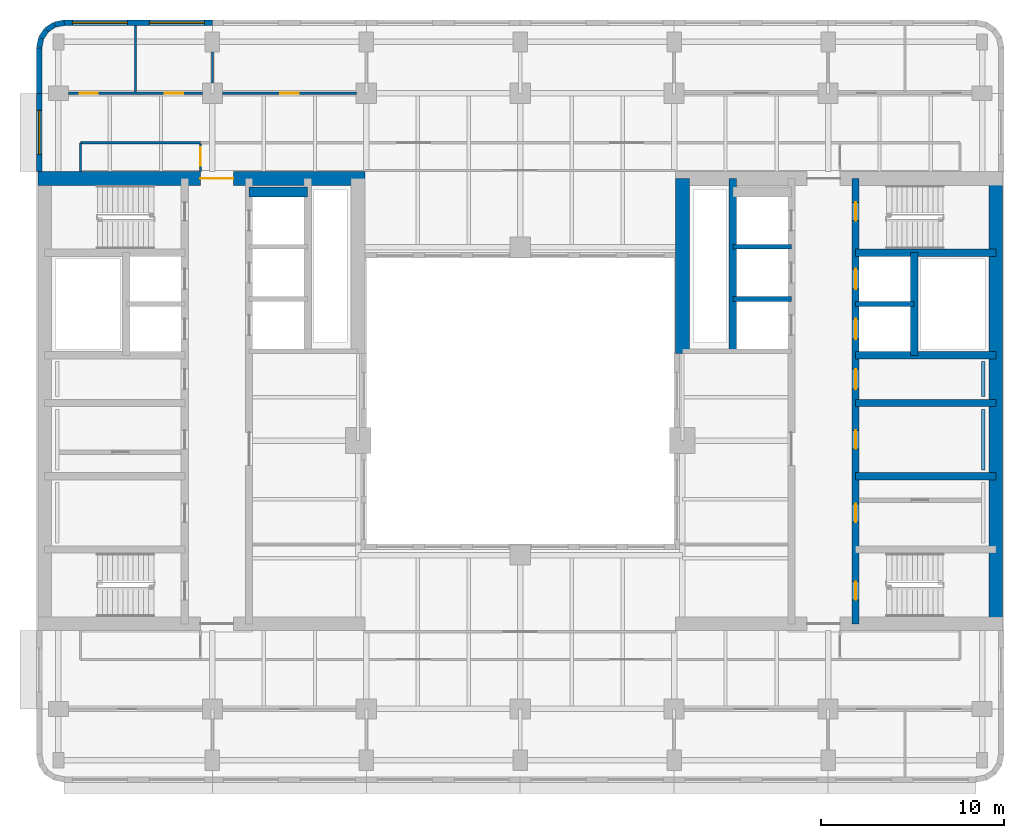
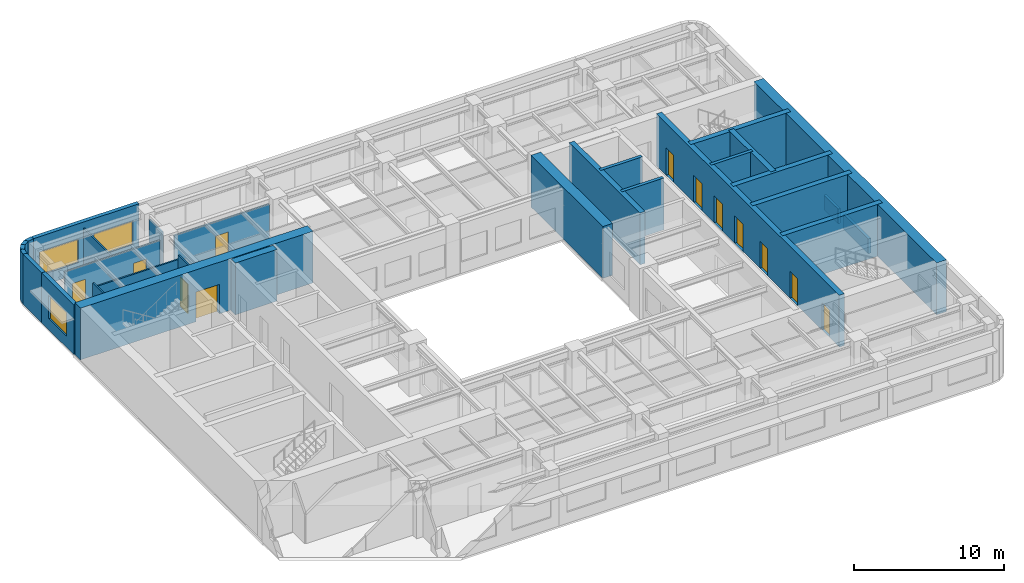
# One storey, part 6 of 11: 30 walls, 12 doors, 3 windows, 15 openings.
"""IFC4 building model written with IfcOpenShell, lengths in metres."""

from ifc_helpers import new_model, si_unit, direction, frame, frame_2d, origin, place, context, subcontext, project, spatial, rectangle, extrude, material, layer, layer_set, type_object, element, fill, save


model = new_model("IFC4")

# Units and contexts
model_context = context("Model", 3, precision=1e-05, world=origin(), true_north=direction((0.0, 1.0)))
body_context = subcontext(model_context, "Body", "Model", "MODEL_VIEW")
ifc_project = project(units=[si_unit("LENGTHUNIT", "METRE"), si_unit("AREAUNIT", "SQUARE_METRE"), si_unit("VOLUMEUNIT", "CUBIC_METRE"), si_unit("PLANEANGLEUNIT", "RADIAN"), si_unit("MASSUNIT", "GRAM", prefix="KILO")], contexts=[model_context])

# Site, building, storey
site_placement = place(None, origin())
site = spatial("IfcSite", under=ifc_project, at=site_placement, CompositionType="ELEMENT")
building_placement = place(site_placement, origin())
building = spatial("IfcBuilding", under=site, at=building_placement, Name="Claustro Exchange Tower", CompositionType="ELEMENT")
storey_placement = place(building_placement, frame((0.0, 0.0, 181.800048828125)))
storey = spatial("IfcBuildingStorey", under=building, at=storey_placement, Name="L41", CompositionType="ELEMENT", Elevation=181.800048828125)

# Wall, openings, doors
ifc_material_1 = material(Name="Laminated glass in aluminium frame", Category="aluminium")
ifc_layer_1 = layer(ifc_material_1, 0.1201171875)
ifc_layer_set_1 = layer_set([ifc_layer_1], Name="Laminated glass in aluminium frame")
wall_type_1 = type_object("IfcWallType", Name="P2 120 glazed partition", PredefinedType="PARTITIONING", material=ifc_layer_set_1)
wall_1_placement = place(storey_placement, frame((0.549072265625, 42.0, 0.0), z_axis=(0.0, 0.0, 1.0), x_axis=(1.0, 0.0, 0.0)))
wall_1 = element("IfcWall", 1, at=wall_1_placement, inside=storey, type_object=wall_type_1, Name="Partition P2 L41", PredefinedType="PARTITIONING", context=body_context, shape_type="SweptSolid", body=[
    extrude(rectangle(XDim=7.302001953125, YDim=0.1201171875, at=frame_2d((3.65087890625, 0.0))), origin(), (0.0, 0.0, 1.0), 3.550048828125),
])
opening_1_placement = place(wall_1_placement, frame((0.60107421875, 0.0, 0.0)))
opening_1 = element("IfcOpeningElement", 2, at=opening_1_placement, cuts=wall_1, Name="Opening D7", PredefinedType="OPENING", context=body_context, shape_type="SweptSolid", body=[
    extrude(rectangle(XDim=1.0, YDim=2.39990234375, at=frame_2d((0.5, 1.199951171875))), frame((0.0, 0.070068359375, 0.0), z_axis=(0.0, -1.0, 0.0), x_axis=(1.0, 0.0, 0.0)), (0.0, 0.0, 1.0), 0.14013671875),
])
opening_2_placement = place(wall_1_placement, frame((5.2509765625, 0.0, 0.0)))
opening_2 = element("IfcOpeningElement", 3, at=opening_2_placement, cuts=wall_1, Name="Opening D7", PredefinedType="OPENING", context=body_context, shape_type="SweptSolid", body=[
    extrude(rectangle(XDim=1.0, YDim=2.39990234375, at=frame_2d((0.5, 1.199951171875))), frame((0.0, 0.070068359375, 0.0), z_axis=(0.0, -1.0, 0.0), x_axis=(1.0, 0.0, 0.0)), (0.0, 0.0, 1.0), 0.14013671875),
])
ifc_material_2 = material(Name="Glass door in aluminium frame", Category="aluminium")
door_type_1 = type_object("IfcDoorType", Name="D7 1000 x 2400 glazed door", OperationType="SINGLE_SWING_LEFT", PredefinedType="DOOR", material=ifc_material_2)
door_1_placement = place(opening_1_placement, origin())
door_1 = element("IfcDoor", 4, at=door_1_placement, inside=storey, type_object=door_type_1, Name="Door D7 L41", OperationType="SINGLE_SWING_RIGHT", OverallHeight=2.39990234375, OverallWidth=1.0, PredefinedType="DOOR", context=body_context, shape_type="SweptSolid", body=[
    extrude(rectangle(XDim=1.0, YDim=2.39990234375, at=frame_2d((0.5, 1.199951171875))), frame((0.0, 0.02490234375, 0.0), z_axis=(0.0, -1.0, 0.0), x_axis=(1.0, 0.0, 0.0)), (0.0, 0.0, 1.0), 0.050048828125),
])
fill(opening_1, door_1)
door_2_placement = place(opening_2_placement, origin())
door_2 = element("IfcDoor", 5, at=door_2_placement, inside=storey, type_object=door_type_1, Name="Door D7 L41", OperationType="SINGLE_SWING_RIGHT", OverallHeight=2.39990234375, OverallWidth=1.0, PredefinedType="DOOR", context=body_context, shape_type="SweptSolid", body=[
    extrude(rectangle(XDim=1.0, YDim=2.39990234375, at=frame_2d((0.5, 1.199951171875))), frame((0.0, 0.02490234375, 0.0), z_axis=(0.0, -1.0, 0.0), x_axis=(1.0, 0.0, 0.0)), (0.0, 0.0, 1.0), 0.050048828125),
])
fill(opening_2, door_2)

# Wall, opening, door
wall_2_placement = place(storey_placement, frame((8.948974609375, 42.0, 0.0), z_axis=(0.0, 0.0, 1.0), x_axis=(1.0, 0.0, 0.0)))
wall_2 = element("IfcWall", 6, at=wall_2_placement, inside=storey, type_object=wall_type_1, Name="Partition P2 L41", PredefinedType="PARTITIONING", context=body_context, shape_type="SweptSolid", body=[
    extrude(rectangle(XDim=7.302001953125, YDim=0.1201171875, at=frame_2d((3.65087890625, 0.0))), origin(), (0.0, 0.0, 1.0), 3.550048828125),
])
opening_3_placement = place(wall_2_placement, frame((3.15087890625, 0.0, 0.0)))
opening_3 = element("IfcOpeningElement", 7, at=opening_3_placement, cuts=wall_2, Name="Opening D7", PredefinedType="OPENING", context=body_context, shape_type="SweptSolid", body=[
    extrude(rectangle(XDim=1.0, YDim=2.39990234375, at=frame_2d((0.5, 1.199951171875))), frame((0.0, 0.070068359375, 0.0), z_axis=(0.0, -1.0, 0.0), x_axis=(1.0, 0.0, 0.0)), (0.0, 0.0, 1.0), 0.14013671875),
])
door_3_placement = place(opening_3_placement, origin())
door_3 = element("IfcDoor", 8, at=door_3_placement, inside=storey, type_object=door_type_1, Name="Door D7 L41", OperationType="SINGLE_SWING_LEFT", OverallHeight=2.39990234375, OverallWidth=1.0, PredefinedType="DOOR", context=body_context, shape_type="SweptSolid", body=[
    extrude(rectangle(XDim=1.0, YDim=2.39990234375, at=frame_2d((0.5, 1.199951171875))), frame((0.0, 0.02490234375, 0.0), z_axis=(0.0, -1.0, 0.0), x_axis=(1.0, 0.0, 0.0)), (0.0, 0.0, 1.0), 0.050048828125),
])
fill(opening_3, door_3)

# Walls
wall_3_placement = place(storey_placement, frame((4.199951171875, 42.05810546875, 0.0), z_axis=(0.0, 0.0, 1.0), x_axis=(0.0, 1.0, 0.0)))
element("IfcWall", 9, at=wall_3_placement, inside=storey, type_object=wall_type_1, Name="Partition P2 L41", PredefinedType="PARTITIONING", context=body_context, shape_type="SweptSolid", body=[
    extrude(rectangle(XDim=3.643798828125, YDim=0.1201171875, at=frame_2d((1.82177734375, 0.0))), origin(), (0.0, 0.0, 1.0), 3.550048828125),
])
wall_4_placement = place(storey_placement, frame((8.39990234375, 42.549072265625, 0.0), z_axis=(0.0, 0.0, 1.0), x_axis=(0.0, 1.0, 0.0)))
element("IfcWall", 10, at=wall_4_placement, inside=storey, type_object=wall_type_1, Name="Partition P2 L41", PredefinedType="PARTITIONING", context=body_context, shape_type="SweptSolid", body=[
    extrude(rectangle(XDim=1.701904296875, YDim=0.1201171875, at=frame_2d((0.85107421875, 0.0))), origin(), (0.0, 0.0, 1.0), 3.68994140625),
])

# Wall, opening, door
wall_5_placement = place(storey_placement, frame((7.75, 37.72412109375, 0.0), z_axis=(0.0, 0.0, 1.0), x_axis=(0.0, 1.0, 0.0)))
wall_5 = element("IfcWall", 11, at=wall_5_placement, inside=storey, type_object=wall_type_1, Name="Partition P2 L41", PredefinedType="PARTITIONING", context=body_context, shape_type="SweptSolid", body=[
    extrude(rectangle(XDim=1.517822265625, YDim=0.1201171875, at=frame_2d((0.7587890625, 0.0))), origin(), (0.0, 0.0, 1.0), 4.050048828125),
])
opening_4_placement = place(wall_5_placement, frame((0.325927734375, 0.0, 0.0)))
opening_4 = element("IfcOpeningElement", 12, at=opening_4_placement, cuts=wall_5, Name="Opening D7", PredefinedType="OPENING", context=body_context, shape_type="SweptSolid", body=[
    extrude(rectangle(XDim=1.0, YDim=2.39990234375, at=frame_2d((0.5, 1.199951171875))), frame((0.0, 0.070068359375, 0.0), z_axis=(0.0, -1.0, 0.0), x_axis=(1.0, 0.0, 0.0)), (0.0, 0.0, 1.0), 0.14013671875),
])
door_4_placement = place(opening_4_placement, origin())
door_4 = element("IfcDoor", 13, at=door_4_placement, inside=storey, type_object=door_type_1, Name="Door D7 L41", OperationType="SINGLE_SWING_LEFT", OverallHeight=2.39990234375, OverallWidth=1.0, PredefinedType="DOOR", context=body_context, shape_type="SweptSolid", body=[
    extrude(rectangle(XDim=1.0, YDim=2.39990234375, at=frame_2d((0.5, 1.199951171875))), frame((0.0, 0.02490234375, 0.0), z_axis=(0.0, -1.0, 0.0), x_axis=(1.0, 0.0, 0.0)), (0.0, 0.0, 1.0), 0.050048828125),
])
fill(opening_4, door_4)

# Walls
wall_6_placement = place(storey_placement, frame((1.199951171875, 39.300048828125, 0.0), z_axis=(0.0, 0.0, 1.0), x_axis=(1.0, 0.0, 0.0)))
element("IfcWall", 14, at=wall_6_placement, inside=storey, type_object=wall_type_1, Name="Partition P2 L41", PredefinedType="PARTITIONING", context=body_context, shape_type="SweptSolid", body=[
    extrude(rectangle(XDim=6.552001953125, YDim=0.1201171875, at=frame_2d((3.27587890625, 0.0))), origin(), (0.0, 0.0, 1.0), 3.68994140625),
])
wall_7_placement = place(storey_placement, frame((1.199951171875, 37.72412109375, 0.0), z_axis=(0.0, 0.0, 1.0), x_axis=(0.0, 1.0, 0.0)))
element("IfcWall", 15, at=wall_7_placement, inside=storey, type_object=wall_type_1, Name="Partition P2 L41", PredefinedType="PARTITIONING", context=body_context, shape_type="SweptSolid", body=[
    extrude(rectangle(XDim=1.575927734375, YDim=0.1201171875, at=frame_2d((0.7880859375, 0.0))), origin(), (0.0, 0.0, 1.0), 4.050048828125),
])

# Wall, opening, window
ifc_material_3 = material(Name="Concrete HA-40 (C40/50), precast, white cement, acid-etched", Category="concrete")
ifc_layer_2 = layer(ifc_material_3, 0.300048828125)
ifc_layer_set_2 = layer_set([ifc_layer_2], Name="Concrete HA-40 (C40/50), precast, white cement, acid-etched")
wall_type_2 = type_object("IfcWallType", Name="PC1 300 precast concrete pier panel", PredefinedType="SOLIDWALL", material=ifc_layer_set_2)
wall_8_placement = place(storey_placement, frame((-1.050048828125, 37.72509765625, 0.0), z_axis=(0.0, 0.0, 1.0), x_axis=(0.0, 1.0, 0.0)))
wall_8 = element("IfcWall", 16, at=wall_8_placement, inside=storey, type_object=wall_type_2, Name="Precast pier panel PC1 L41", PredefinedType="SOLIDWALL", context=body_context, shape_type="SweptSolid", body=[
    extrude(rectangle(XDim=4.27490234375, YDim=0.300048828125, at=frame_2d((2.137451171875, 0.0))), origin(), (0.0, 0.0, 1.0), 4.050048828125),
])
opening_5_placement = place(wall_8_placement, frame((0.9375, 0.0, 0.89990234375)))
opening_5 = element("IfcOpeningElement", 17, at=opening_5_placement, cuts=wall_8, Name="Opening W2", PredefinedType="OPENING", context=body_context, shape_type="SweptSolid", body=[
    extrude(rectangle(XDim=2.39990234375, YDim=1.89990234375, at=frame_2d((1.199951171875, 0.949951171875))), frame((0.0, 0.159912109375, 0.0), z_axis=(0.0, -1.0, 0.0), x_axis=(1.0, 0.0, 0.0)), (0.0, 0.0, 1.0), 0.320068359375),
])
ifc_material_4 = material(Name="Aluminium frame, clear double glazing", Category="aluminium")
window_type_1 = type_object("IfcWindowType", Name="W2 2400 x 1900 window", PartitioningType="SINGLE_PANEL", PredefinedType="WINDOW", material=ifc_material_4)
window_1_placement = place(opening_5_placement, origin())
window_1 = element("IfcWindow", 18, at=window_1_placement, inside=storey, type_object=window_type_1, Name="Window W2 L41", OverallHeight=1.89990234375, OverallWidth=2.39990234375, PartitioningType="SINGLE_PANEL", PredefinedType="WINDOW", context=body_context, shape_type="SweptSolid", body=[
    extrude(rectangle(XDim=2.39990234375, YDim=1.89990234375, at=frame_2d((1.199951171875, 0.949951171875))), frame((0.0, 0.030029296875, 0.0), z_axis=(0.0, -1.0, 0.0), x_axis=(1.0, 0.0, 0.0)), (0.0, 0.0, 1.0), 0.06005859375),
])
fill(opening_5, window_1)

# Walls
wall_9_placement = place(storey_placement, frame((-1.050048828125, 42.0, 0.0), z_axis=(0.0, 0.0, 1.0), x_axis=(0.0, 1.0, 0.0)))
element("IfcWall", 19, at=wall_9_placement, inside=storey, type_object=wall_type_2, Name="Precast pier panel PC1 L41", PredefinedType="SOLIDWALL", context=body_context, shape_type="SweptSolid", body=[
    extrude(rectangle(XDim=2.485107421875, YDim=0.300048828125, at=frame_2d((1.24267578125, 0.0))), origin(), (0.0, 0.0, 1.0), 4.050048828125),
])
wall_10_placement = place(storey_placement, frame((-1.050048828125, 44.485107421875, 0.0), z_axis=(0.0, 0.0, 1.0), x_axis=(0.195073962632, 0.980788534345, 0.0)))
element("IfcWall", 20, at=wall_10_placement, inside=storey, type_object=wall_type_2, Name="Precast pier panel PC1 L41", PredefinedType="SOLIDWALL", context=body_context, shape_type="SweptSolid", body=[
    extrude(rectangle(XDim=0.540771484375, YDim=0.300048828125, at=frame_2d((0.2705078125, 0.0))), origin(), (0.0, 0.0, 1.0), 4.050048828125),
])
wall_11_placement = place(storey_placement, frame((-0.944580078125, 45.015380859375, 0.0), z_axis=(0.0, 0.0, 1.0), x_axis=(0.55534295404, 0.831621430339, 0.0)))
element("IfcWall", 21, at=wall_11_placement, inside=storey, type_object=wall_type_2, Name="Precast pier panel PC1 L41", PredefinedType="SOLIDWALL", context=body_context, shape_type="SweptSolid", body=[
    extrude(rectangle(XDim=0.52587890625, YDim=0.300048828125, at=frame_2d((0.262939453125, 0.0))), origin(), (0.0, 0.0, 1.0), 4.050048828125),
])
wall_12_placement = place(storey_placement, frame((-0.652587890625, 45.45263671875, 0.0), z_axis=(0.0, 0.0, 1.0), x_axis=(0.831692711774, 0.555236195849, 0.0)))
element("IfcWall", 22, at=wall_12_placement, inside=storey, type_object=wall_type_2, Name="Precast pier panel PC1 L41", PredefinedType="SOLIDWALL", context=body_context, shape_type="SweptSolid", body=[
    extrude(rectangle(XDim=0.525390625, YDim=0.300048828125, at=frame_2d((0.2626953125, 0.0))), origin(), (0.0, 0.0, 1.0), 4.050048828125),
])
wall_13_placement = place(storey_placement, frame((-0.215576171875, 45.744384765625, 0.0), z_axis=(0.0, 0.0, 1.0), x_axis=(0.980702050465, 0.1955082817, 0.0)))
element("IfcWall", 23, at=wall_13_placement, inside=storey, type_object=wall_type_2, Name="Precast pier panel PC1 L41", PredefinedType="SOLIDWALL", context=body_context, shape_type="SweptSolid", body=[
    extrude(rectangle(XDim=0.540771484375, YDim=0.300048828125, at=frame_2d((0.2705078125, 0.0))), origin(), (0.0, 0.0, 1.0), 4.050048828125),
])

# Wall, openings, windows
wall_14_placement = place(storey_placement, frame((0.314697265625, 45.85009765625, 0.0), z_axis=(0.0, 0.0, 1.0), x_axis=(1.0, 0.0, 0.0)))
wall_14 = element("IfcWall", 24, at=wall_14_placement, inside=storey, type_object=wall_type_2, Name="Precast pier panel PC1 L41", PredefinedType="SOLIDWALL", context=body_context, shape_type="SweptSolid", body=[
    extrude(rectangle(XDim=8.085205078125, YDim=0.300048828125, at=frame_2d((4.04248046875, 0.0))), origin(), (0.0, 0.0, 1.0), 4.050048828125),
])
opening_6_placement = place(wall_14_placement, frame((0.442626953125, 0.0, 0.89990234375)))
opening_6 = element("IfcOpeningElement", 25, at=opening_6_placement, cuts=wall_14, Name="Opening W1", PredefinedType="OPENING", context=body_context, shape_type="SweptSolid", body=[
    extrude(rectangle(XDim=3.0, YDim=1.89990234375, at=frame_2d((1.5, 0.949951171875))), frame((0.0, 0.159912109375, 0.0), z_axis=(0.0, -1.0, 0.0), x_axis=(1.0, 0.0, 0.0)), (0.0, 0.0, 1.0), 0.320068359375),
])
opening_7_placement = place(wall_14_placement, frame((4.642578125, 0.0, 0.89990234375)))
opening_7 = element("IfcOpeningElement", 26, at=opening_7_placement, cuts=wall_14, Name="Opening W1", PredefinedType="OPENING", context=body_context, shape_type="SweptSolid", body=[
    extrude(rectangle(XDim=3.0, YDim=1.89990234375, at=frame_2d((1.5, 0.949951171875))), frame((0.0, 0.159912109375, 0.0), z_axis=(0.0, -1.0, 0.0), x_axis=(1.0, 0.0, 0.0)), (0.0, 0.0, 1.0), 0.320068359375),
])
ifc_material_5 = material(Name="Aluminium frame, clear double glazing", Category="aluminium")
window_type_2 = type_object("IfcWindowType", Name="W1 3000 x 1900 window", PartitioningType="SINGLE_PANEL", PredefinedType="WINDOW", material=ifc_material_5)
window_2_placement = place(opening_6_placement, origin())
window_2 = element("IfcWindow", 27, at=window_2_placement, inside=storey, type_object=window_type_2, Name="Window W1 L41", OverallHeight=1.89990234375, OverallWidth=3.0, PartitioningType="SINGLE_PANEL", PredefinedType="WINDOW", context=body_context, shape_type="SweptSolid", body=[
    extrude(rectangle(XDim=3.0, YDim=1.89990234375, at=frame_2d((1.5, 0.949951171875))), frame((0.0, 0.030029296875, 0.0), z_axis=(0.0, -1.0, 0.0), x_axis=(1.0, 0.0, 0.0)), (0.0, 0.0, 1.0), 0.06005859375),
])
fill(opening_6, window_2)
window_3_placement = place(opening_7_placement, origin())
window_3 = element("IfcWindow", 28, at=window_3_placement, inside=storey, type_object=window_type_2, Name="Window W1 L41", OverallHeight=1.89990234375, OverallWidth=3.0, PartitioningType="SINGLE_PANEL", PredefinedType="WINDOW", context=body_context, shape_type="SweptSolid", body=[
    extrude(rectangle(XDim=3.0, YDim=1.89990234375, at=frame_2d((1.5, 0.949951171875))), frame((0.0, 0.030029296875, 0.0), z_axis=(0.0, -1.0, 0.0), x_axis=(1.0, 0.0, 0.0)), (0.0, 0.0, 1.0), 0.06005859375),
])
fill(opening_7, window_3)

# Walls
ifc_material_6 = material(Name="Gypsum board on steel studs, tiled", Category="steel")
ifc_layer_3 = layer(ifc_material_6, 0.199951171875)
ifc_layer_set_3 = layer_set([ifc_layer_3], Name="Gypsum board on steel studs, tiled")
wall_type_3 = type_object("IfcWallType", Name="PW1 200 WC duct wall", PredefinedType="PLUMBINGWALL", material=ifc_layer_set_3)
wall_15_placement = place(storey_placement, frame((50.47509765625, 21.449951171875, 0.0), z_axis=(0.0, 0.0, 1.0), x_axis=(0.0, 1.0, 0.0)))
element("IfcWall", 29, at=wall_15_placement, inside=storey, type_object=wall_type_3, Name="WC duct wall PW1 L41", PredefinedType="PLUMBINGWALL", context=body_context, shape_type="SweptSolid", body=[
    extrude(rectangle(XDim=3.300048828125, YDim=0.199951171875, at=frame_2d((1.64990234375, 0.0))), origin(), (0.0, 0.0, 1.0), 1.199951171875),
])
wall_16_placement = place(storey_placement, frame((50.47509765625, 25.449951171875, 0.0), z_axis=(0.0, 0.0, 1.0), x_axis=(0.0, 1.0, 0.0)))
element("IfcWall", 30, at=wall_16_placement, inside=storey, type_object=wall_type_3, Name="WC duct wall PW1 L41", PredefinedType="PLUMBINGWALL", context=body_context, shape_type="SweptSolid", body=[
    extrude(rectangle(XDim=1.900146484375, YDim=0.199951171875, at=frame_2d((0.9501953125, 0.0))), origin(), (0.0, 0.0, 1.0), 1.199951171875),
])

# Wall, opening, door
ifc_material_7 = material(Name="Concrete HA-70 (C70/85)", Category="concrete")
ifc_layer_4 = layer(ifc_material_7, 0.75)
ifc_layer_set_4 = layer_set([ifc_layer_4], Name="Concrete HA-70 (C70/85)")
wall_type_4 = type_object("IfcWallType", Name="SW2 750 core shear wall", PredefinedType="SHEAR", material=ifc_layer_set_4)
wall_17_placement = place(storey_placement, frame((-1.125, 37.35009765625, 0.0), z_axis=(0.0, 0.0, 1.0), x_axis=(1.0, 0.0, 0.0)))
wall_17 = element("IfcWall", 31, at=wall_17_placement, inside=storey, type_object=wall_type_4, Name="Core wall SW2 W core N face L41", PredefinedType="SHEAR", context=body_context, shape_type="SweptSolid", body=[
    extrude(rectangle(XDim=17.85009765625, YDim=0.75, at=frame_2d((8.925048828125, 0.0))), origin(), (0.0, 0.0, 1.0), 4.199951171875),
])
opening_8_placement = place(wall_17_placement, frame((8.875, 0.0, 0.0)))
opening_8 = element("IfcOpeningElement", 32, at=opening_8_placement, cuts=wall_17, Name="Opening D3", PredefinedType="OPENING", context=body_context, shape_type="SweptSolid", body=[
    extrude(rectangle(XDim=1.800048828125, YDim=2.39990234375, at=frame_2d((0.89990234375, 1.199951171875))), frame((0.0, 0.385009765625, 0.0), z_axis=(0.0, -1.0, 0.0), x_axis=(1.0, 0.0, 0.0)), (0.0, 0.0, 1.0), 0.77001953125),
])
ifc_material_8 = material(Name="Steel fire door, painted", Category="steel")
door_type_2 = type_object("IfcDoorType", Name="D3 1800 x 2400 fire-rated lobby double door", OperationType="DOUBLE_DOOR_SINGLE_SWING", PredefinedType="DOOR", material=ifc_material_8)
door_5_placement = place(opening_8_placement, frame((1.800048828125, 0.0, 0.0), z_axis=(0.0, 0.0, 1.0), x_axis=(-1.0, 0.0, 0.0)))
door_5 = element("IfcDoor", 33, at=door_5_placement, inside=storey, type_object=door_type_2, Name="Lift lobby door D3 L41", OperationType="DOUBLE_DOOR_SINGLE_SWING", OverallHeight=2.39990234375, OverallWidth=1.800048828125, PredefinedType="DOOR", context=body_context, shape_type="SweptSolid", body=[
    extrude(rectangle(XDim=1.800048828125, YDim=2.39990234375, at=frame_2d((0.89990234375, 1.199951171875))), frame((0.0, 0.02490234375, 0.0), z_axis=(0.0, -1.0, 0.0), x_axis=(1.0, 0.0, 0.0)), (0.0, 0.0, 1.0), 0.050048828125),
])
fill(opening_8, door_5)

# Walls
ifc_material_9 = material(Name="Concrete HA-70 (C70/85)", Category="concrete")
ifc_layer_5 = layer(ifc_material_9, 0.75)
ifc_layer_set_5 = layer_set([ifc_layer_5], Name="Concrete HA-70 (C70/85)")
wall_type_5 = type_object("IfcWallType", Name="SW2X 750 exposed core shear wall, board-marked face", PredefinedType="SHEAR", material=ifc_layer_set_5)
wall_18_placement = place(storey_placement, frame((34.050048828125, 27.800048828125, 0.0), z_axis=(0.0, 0.0, 1.0), x_axis=(0.0, 1.0, 0.0)))
element("IfcWall", 34, at=wall_18_placement, inside=storey, type_object=wall_type_5, Name="Core wall SW2X E core W face L41", PredefinedType="SHEAR", context=body_context, shape_type="SweptSolid", body=[
    extrude(rectangle(XDim=9.550048828125, YDim=0.75, at=frame_2d((4.77490234375, 0.0))), origin(), (0.0, 0.0, 1.0), 4.199951171875),
])
wall_19_placement = place(storey_placement, frame((51.14990234375, 13.050048828125, 0.0), z_axis=(0.0, 0.0, 1.0), x_axis=(0.0, 1.0, 0.0)))
element("IfcWall", 35, at=wall_19_placement, inside=storey, type_object=wall_type_5, Name="Core wall SW2X E core E face L41", PredefinedType="SHEAR", context=body_context, shape_type="SweptSolid", body=[
    extrude(rectangle(XDim=24.300048828125, YDim=0.75, at=frame_2d((12.14990234375, 0.0))), origin(), (0.0, 0.0, 1.0), 4.199951171875),
])

# Wall, openings, doors
ifc_material_10 = material(Name="Concrete HA-50 (C50/60)", Category="concrete")
ifc_layer_6 = layer(ifc_material_10, 0.39990234375)
ifc_layer_set_6 = layer_set([ifc_layer_6], Name="Concrete HA-50 (C50/60)")
wall_type_6 = type_object("IfcWallType", Name="SW4 400 internal core wall", PredefinedType="SHEAR", material=ifc_layer_set_6)
wall_20_placement = place(storey_placement, frame((43.5, 13.050048828125, 0.0), z_axis=(0.0, 0.0, 1.0), x_axis=(0.0, 1.0, 0.0)))
wall_20 = element("IfcWall", 36, at=wall_20_placement, inside=storey, type_object=wall_type_6, Name="Internal core wall SW4 E core L41", PredefinedType="SHEAR", context=body_context, shape_type="SweptSolid", body=[
    extrude(rectangle(XDim=24.300048828125, YDim=0.39990234375, at=frame_2d((12.14990234375, 0.0))), origin(), (0.0, 0.0, 1.0), 4.199951171875),
])
opening_9_placement = place(wall_20_placement, frame((1.300048828125, 0.0, 0.0)))
opening_9 = element("IfcOpeningElement", 37, at=opening_9_placement, cuts=wall_20, Name="Opening D4", PredefinedType="OPENING", context=body_context, shape_type="SweptSolid", body=[
    extrude(rectangle(XDim=1.0, YDim=2.199951171875, at=frame_2d((0.5, 1.10009765625))), frame((0.0, 0.2099609375, 0.0), z_axis=(0.0, -1.0, 0.0), x_axis=(1.0, 0.0, 0.0)), (0.0, 0.0, 1.0), 0.419921875),
])
opening_10_placement = place(wall_20_placement, frame((22.0, 0.0, 0.0)))
opening_10 = element("IfcOpeningElement", 38, at=opening_10_placement, cuts=wall_20, Name="Opening D4", PredefinedType="OPENING", context=body_context, shape_type="SweptSolid", body=[
    extrude(rectangle(XDim=1.0, YDim=2.199951171875, at=frame_2d((0.5, 1.10009765625))), frame((0.0, 0.2099609375, 0.0), z_axis=(0.0, -1.0, 0.0), x_axis=(1.0, 0.0, 0.0)), (0.0, 0.0, 1.0), 0.419921875),
])
opening_11_placement = place(wall_20_placement, frame((5.550048828125, 0.0, 0.0)))
opening_11 = element("IfcOpeningElement", 39, at=opening_11_placement, cuts=wall_20, Name="Opening D1", PredefinedType="OPENING", context=body_context, shape_type="SweptSolid", body=[
    extrude(rectangle(XDim=1.0, YDim=2.199951171875, at=frame_2d((0.5, 1.10009765625))), frame((0.0, 0.2099609375, 0.0), z_axis=(0.0, -1.0, 0.0), x_axis=(1.0, 0.0, 0.0)), (0.0, 0.0, 1.0), 0.419921875),
])
opening_12_placement = place(wall_20_placement, frame((9.550048828125, 0.0, 0.0)))
opening_12 = element("IfcOpeningElement", 40, at=opening_12_placement, cuts=wall_20, Name="Opening D1", PredefinedType="OPENING", context=body_context, shape_type="SweptSolid", body=[
    extrude(rectangle(XDim=1.0, YDim=2.199951171875, at=frame_2d((0.5, 1.10009765625))), frame((0.0, 0.2099609375, 0.0), z_axis=(0.0, -1.0, 0.0), x_axis=(1.0, 0.0, 0.0)), (0.0, 0.0, 1.0), 0.419921875),
])
opening_13_placement = place(wall_20_placement, frame((12.800048828125, 0.0, 0.0)))
opening_13 = element("IfcOpeningElement", 41, at=opening_13_placement, cuts=wall_20, Name="Opening D10", PredefinedType="OPENING", context=body_context, shape_type="SweptSolid", body=[
    extrude(rectangle(XDim=1.10009765625, YDim=2.199951171875, at=frame_2d((0.550048828125, 1.10009765625))), frame((0.0, 0.2099609375, 0.0), z_axis=(0.0, -1.0, 0.0), x_axis=(1.0, 0.0, 0.0)), (0.0, 0.0, 1.0), 0.419921875),
])
opening_14_placement = place(wall_20_placement, frame((15.53759765625, 0.0, 0.0)))
opening_14 = element("IfcOpeningElement", 42, at=opening_14_placement, cuts=wall_20, Name="Opening LD", PredefinedType="OPENING", context=body_context, shape_type="SweptSolid", body=[
    extrude(rectangle(XDim=1.10009765625, YDim=2.199951171875, at=frame_2d((0.550048828125, 1.10009765625))), frame((0.0, 0.2099609375, 0.0), z_axis=(0.0, -1.0, 0.0), x_axis=(1.0, 0.0, 0.0)), (0.0, 0.0, 1.0), 0.419921875),
])
opening_15_placement = place(wall_20_placement, frame((18.262451171875, 0.0, 0.0)))
opening_15 = element("IfcOpeningElement", 43, at=opening_15_placement, cuts=wall_20, Name="Opening LD", PredefinedType="OPENING", context=body_context, shape_type="SweptSolid", body=[
    extrude(rectangle(XDim=1.10009765625, YDim=2.199951171875, at=frame_2d((0.550048828125, 1.10009765625))), frame((0.0, 0.2099609375, 0.0), z_axis=(0.0, -1.0, 0.0), x_axis=(1.0, 0.0, 0.0)), (0.0, 0.0, 1.0), 0.419921875),
])
ifc_material_11 = material(Name="Timber door, oak veneer", Category="wood")
door_type_3 = type_object("IfcDoorType", Name="D1 1000 x 2200 single door", OperationType="SINGLE_SWING_LEFT", PredefinedType="DOOR", material=ifc_material_11)
door_6_placement = place(opening_11_placement, frame((1.0, 0.0, 0.0), z_axis=(0.0, 0.0, 1.0), x_axis=(-1.0, 0.0, 0.0)))
door_6 = element("IfcDoor", 44, at=door_6_placement, inside=storey, type_object=door_type_3, Name="Door D1 L41", OperationType="SINGLE_SWING_LEFT", OverallHeight=2.199951171875, OverallWidth=1.0, PredefinedType="DOOR", context=body_context, shape_type="SweptSolid", body=[
    extrude(rectangle(XDim=1.0, YDim=2.199951171875, at=frame_2d((0.5, 1.10009765625))), frame((0.0, 0.02490234375, 0.0), z_axis=(0.0, -1.0, 0.0), x_axis=(1.0, 0.0, 0.0)), (0.0, 0.0, 1.0), 0.050048828125),
])
fill(opening_11, door_6)
door_7_placement = place(opening_12_placement, frame((1.0, 0.0, 0.0), z_axis=(0.0, 0.0, 1.0), x_axis=(-1.0, 0.0, 0.0)))
door_7 = element("IfcDoor", 45, at=door_7_placement, inside=storey, type_object=door_type_3, Name="Door D1 L41", OperationType="SINGLE_SWING_LEFT", OverallHeight=2.199951171875, OverallWidth=1.0, PredefinedType="DOOR", context=body_context, shape_type="SweptSolid", body=[
    extrude(rectangle(XDim=1.0, YDim=2.199951171875, at=frame_2d((0.5, 1.10009765625))), frame((0.0, 0.02490234375, 0.0), z_axis=(0.0, -1.0, 0.0), x_axis=(1.0, 0.0, 0.0)), (0.0, 0.0, 1.0), 0.050048828125),
])
fill(opening_12, door_7)
ifc_material_12 = material(Name="Timber door, oak veneer", Category="wood")
door_type_4 = type_object("IfcDoorType", Name="D10 1100 x 2200 accessible WC door", OperationType="SINGLE_SWING_LEFT", PredefinedType="DOOR", material=ifc_material_12)
door_8_placement = place(opening_13_placement, origin())
door_8 = element("IfcDoor", 46, at=door_8_placement, inside=storey, type_object=door_type_4, Name="Accessible WC door D10 L41", OperationType="SINGLE_SWING_RIGHT", OverallHeight=2.199951171875, OverallWidth=1.10009765625, PredefinedType="DOOR", context=body_context, shape_type="SweptSolid", body=[
    extrude(rectangle(XDim=1.10009765625, YDim=2.199951171875, at=frame_2d((0.550048828125, 1.10009765625))), frame((0.0, 0.02490234375, 0.0), z_axis=(0.0, -1.0, 0.0), x_axis=(1.0, 0.0, 0.0)), (0.0, 0.0, 1.0), 0.050048828125),
])
fill(opening_13, door_8)
ifc_material_13 = material(Name="Steel fire door, painted", Category="steel")
door_type_5 = type_object("IfcDoorType", Name="D4 1000 x 2200 fire-rated stair door", OperationType="SINGLE_SWING_LEFT", PredefinedType="DOOR", material=ifc_material_13)
door_9_placement = place(opening_9_placement, frame((1.0, 0.0, 0.0), z_axis=(0.0, 0.0, 1.0), x_axis=(-1.0, 0.0, 0.0)))
door_9 = element("IfcDoor", 47, at=door_9_placement, inside=storey, type_object=door_type_5, Name="Stair door D4 L41", OperationType="SINGLE_SWING_RIGHT", OverallHeight=2.199951171875, OverallWidth=1.0, PredefinedType="DOOR", context=body_context, shape_type="SweptSolid", body=[
    extrude(rectangle(XDim=1.0, YDim=2.199951171875, at=frame_2d((0.5, 1.10009765625))), frame((0.0, 0.02490234375, 0.0), z_axis=(0.0, -1.0, 0.0), x_axis=(1.0, 0.0, 0.0)), (0.0, 0.0, 1.0), 0.050048828125),
])
fill(opening_9, door_9)
door_10_placement = place(opening_10_placement, frame((1.0, 0.0, 0.0), z_axis=(0.0, 0.0, 1.0), x_axis=(-1.0, 0.0, 0.0)))
door_10 = element("IfcDoor", 48, at=door_10_placement, inside=storey, type_object=door_type_5, Name="Stair door D4 L41", OperationType="SINGLE_SWING_LEFT", OverallHeight=2.199951171875, OverallWidth=1.0, PredefinedType="DOOR", context=body_context, shape_type="SweptSolid", body=[
    extrude(rectangle(XDim=1.0, YDim=2.199951171875, at=frame_2d((0.5, 1.10009765625))), frame((0.0, 0.02490234375, 0.0), z_axis=(0.0, -1.0, 0.0), x_axis=(1.0, 0.0, 0.0)), (0.0, 0.0, 1.0), 0.050048828125),
])
fill(opening_10, door_10)
ifc_material_14 = material(Name="Stainless steel sliding door", Category="steel")
door_type_6 = type_object("IfcDoorType", Name="LD 1100 x 2200 lift landing door", OperationType="DOUBLE_DOOR_SLIDING", PredefinedType="DOOR", material=ifc_material_14)
door_11_placement = place(opening_14_placement, origin())
door_11 = element("IfcDoor", 49, at=door_11_placement, inside=storey, type_object=door_type_6, Name="Lift landing door LEE1 LD L41", OperationType="DOUBLE_DOOR_SLIDING", OverallHeight=2.199951171875, OverallWidth=1.10009765625, PredefinedType="DOOR", context=body_context, shape_type="SweptSolid", body=[
    extrude(rectangle(XDim=1.10009765625, YDim=2.199951171875, at=frame_2d((0.550048828125, 1.10009765625))), frame((0.0, 0.02490234375, 0.0), z_axis=(0.0, -1.0, 0.0), x_axis=(1.0, 0.0, 0.0)), (0.0, 0.0, 1.0), 0.050048828125),
])
fill(opening_14, door_11)
door_12_placement = place(opening_15_placement, origin())
door_12 = element("IfcDoor", 50, at=door_12_placement, inside=storey, type_object=door_type_6, Name="Lift landing door LEE2 LD L41", OperationType="DOUBLE_DOOR_SLIDING", OverallHeight=2.199951171875, OverallWidth=1.10009765625, PredefinedType="DOOR", context=body_context, shape_type="SweptSolid", body=[
    extrude(rectangle(XDim=1.10009765625, YDim=2.199951171875, at=frame_2d((0.550048828125, 1.10009765625))), frame((0.0, 0.02490234375, 0.0), z_axis=(0.0, -1.0, 0.0), x_axis=(1.0, 0.0, 0.0)), (0.0, 0.0, 1.0), 0.050048828125),
])
fill(opening_15, door_12)

# Walls
wall_21_placement = place(storey_placement, frame((36.800048828125, 27.925048828125, 0.0), z_axis=(0.0, 0.0, 1.0), x_axis=(0.0, 1.0, 0.0)))
element("IfcWall", 51, at=wall_21_placement, inside=storey, type_object=wall_type_6, Name="Internal core wall SW4 E core L41", PredefinedType="SHEAR", context=body_context, shape_type="SweptSolid", body=[
    extrude(rectangle(XDim=9.425048828125, YDim=0.39990234375, at=frame_2d((4.71240234375, 0.0))), origin(), (0.0, 0.0, 1.0), 4.199951171875),
])
for number, where, z_axis, x_axis, name in (
    (52, (51.14990234375, 21.10009765625, 0.0), (0.0, 0.0, 1.0), (-1.0, 0.0, 0.0), "Internal core wall SW4 E core L41"),
    (53, (51.14990234375, 25.10009765625, 0.0), (0.0, 0.0, 1.0), (-1.0, 0.0, 0.0), "Internal core wall SW4 E core L41"),
    (54, (51.14990234375, 27.699951171875, 0.0), (0.0, 0.0, 1.0), (-1.0, 0.0, 0.0), "Internal core wall SW4 E core L41"),
    (55, (51.14990234375, 33.300048828125, 0.0), (0.0, 0.0, 1.0), (-1.0, 0.0, 0.0), "Internal core wall SW4 E core L41"),
):
    element("IfcWall", number, at=place(storey_placement, frame(where, z_axis=z_axis, x_axis=x_axis)), inside=storey, type_object=wall_type_6, Name=name, PredefinedType="SHEAR", context=body_context, shape_type="SweptSolid", body=[
        extrude(rectangle(XDim=7.64990234375, YDim=0.39990234375, at=frame_2d((3.824951171875, 0.0))), origin(), (0.0, 0.0, 1.0), 4.199951171875),
    ])
wall_22_placement = place(storey_placement, frame((46.699951171875, 27.699951171875, 0.0), z_axis=(0.0, 0.0, 1.0), x_axis=(0.0, 1.0, 0.0)))
element("IfcWall", 56, at=wall_22_placement, inside=storey, type_object=wall_type_6, Name="Internal core wall SW4 E core L41", PredefinedType="SHEAR", context=body_context, shape_type="SweptSolid", body=[
    extrude(rectangle(XDim=5.60009765625, YDim=0.39990234375, at=frame_2d((2.800048828125, 0.0))), origin(), (0.0, 0.0, 1.0), 4.199951171875),
])
ifc_material_15 = material(Name="Concrete HA-50 (C50/60)", Category="concrete")
ifc_layer_7 = layer(ifc_material_15, 0.25)
ifc_layer_set_7 = layer_set([ifc_layer_7], Name="Concrete HA-50 (C50/60)")
wall_type_7 = type_object("IfcWallType", Name="SW5 250 lift shaft divider wall", PredefinedType="SHEAR", material=ifc_layer_set_7)
for number, where, z_axis, x_axis, name in (
    (57, (46.699951171875, 30.5, 0.0), (0.0, 0.0, 1.0), (-1.0, 0.0, 0.0), "Lift shaft wall E core L41"),
    (58, (40.0, 30.77490234375, 0.0), (0.0, 0.0, 1.0), (-1.0, 0.0, 0.0), "Lift shaft wall E core L41"),
    (59, (40.0, 33.625, 0.0), (0.0, 0.0, 1.0), (-1.0, 0.0, 0.0), "Lift shaft wall E core L41"),
):
    element("IfcWall", number, at=place(storey_placement, frame(where, z_axis=z_axis, x_axis=x_axis)), inside=storey, type_object=wall_type_7, Name=name, PredefinedType="SHEAR", context=body_context, shape_type="SweptSolid", body=[
        extrude(rectangle(XDim=3.199951171875, YDim=0.25, at=frame_2d((1.60009765625, 0.0))), origin(), (0.0, 0.0, 1.0), 4.199951171875),
    ])
ifc_material_16 = material(Name="Concrete HA-50 (C50/60)", Category="concrete")
ifc_layer_8 = layer(ifc_material_16, 0.550048828125)
ifc_layer_set_8 = layer_set([ifc_layer_8], Name="Concrete HA-50 (C50/60)")
wall_type_8 = type_object("IfcWallType", Name="SW6 550 lift shaft end wall", PredefinedType="SHEAR", material=ifc_layer_set_8)
wall_23_placement = place(storey_placement, frame((10.39990234375, 36.625, 0.0), z_axis=(0.0, 0.0, 1.0), x_axis=(1.0, 0.0, 0.0)))
element("IfcWall", 60, at=wall_23_placement, inside=storey, type_object=wall_type_8, Name="Lift shaft wall W core L41", PredefinedType="SHEAR", context=body_context, shape_type="SweptSolid", body=[
    extrude(rectangle(XDim=3.2001953125, YDim=0.550048828125, at=frame_2d((1.60009765625, 0.0))), origin(), (0.0, 0.0, 1.0), 4.199951171875),
])

save(model, "model.ifc")
